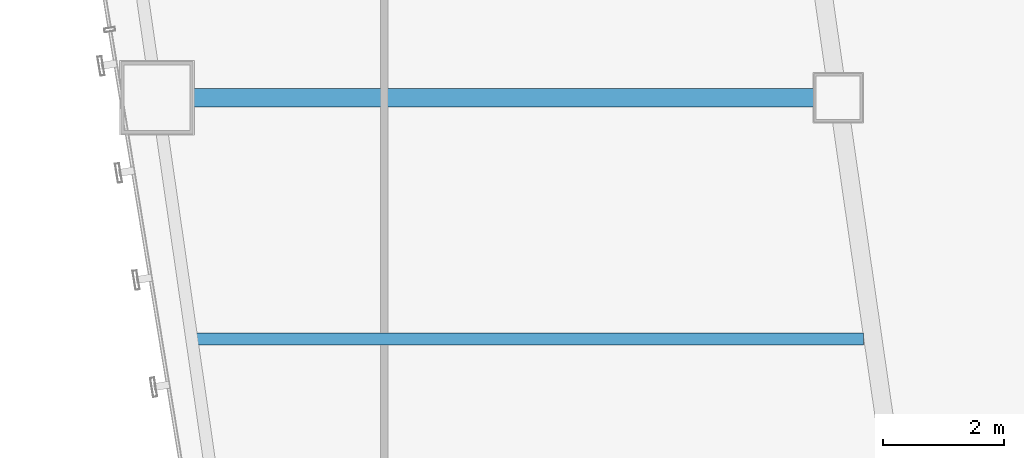
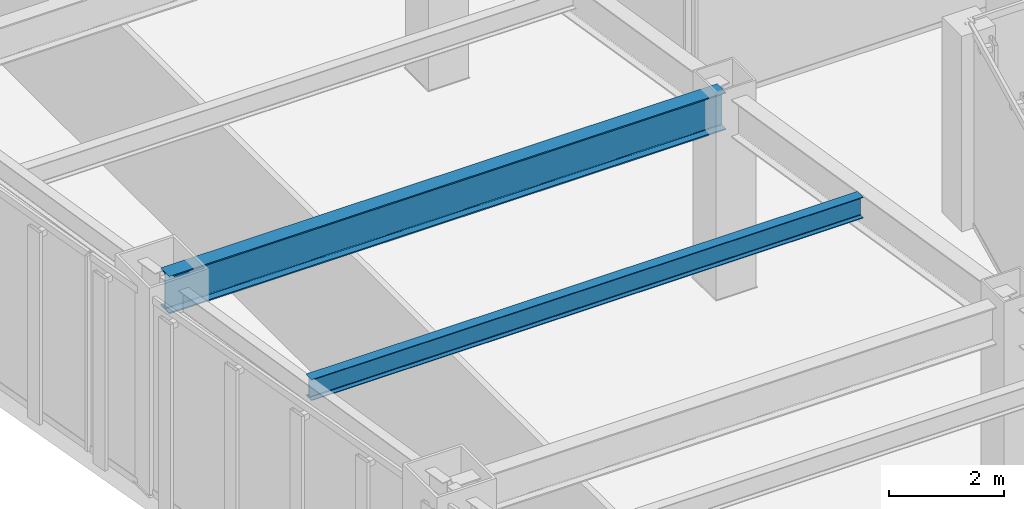
# One storey, part 6 of 49: 2 beams.
"""IFC4 building model written with IfcOpenShell, lengths in metres."""

from ifc_helpers import new_model, si_unit, direction, frame, origin, origin_2d, place, context, subcontext, project, spatial, i_section, extrude, material, material_profile, profile_set, type_object, element, save


model = new_model("IFC4")

# Units and contexts
model_context = context("Model", 3, precision=1e-05, world=origin(), true_north=direction((0.0, 1.0)))
body_context = subcontext(model_context, "Body", "Model", "MODEL_VIEW")
ifc_project = project(units=[si_unit("LENGTHUNIT", "METRE"), si_unit("AREAUNIT", "SQUARE_METRE"), si_unit("VOLUMEUNIT", "CUBIC_METRE"), si_unit("PLANEANGLEUNIT", "RADIAN"), si_unit("MASSUNIT", "GRAM", prefix="KILO")], contexts=[model_context])

# Site, building, storey
site_placement = place(None, origin())
site = spatial("IfcSite", under=ifc_project, at=site_placement, CompositionType="ELEMENT")
building_placement = place(site_placement, origin())
building = spatial("IfcBuilding", under=site, at=building_placement, Name="Saevonmaru Cultural Tower", CompositionType="ELEMENT")
storey_placement = place(building_placement, frame((0.0, 0.0, 38.39990234375)))
storey = spatial("IfcBuildingStorey", under=building, at=storey_placement, Name="L07", CompositionType="ELEMENT", Elevation=38.39990234375)

# Beams
ifc_material_1 = material(Name="Steel SM420", Category="steel")
ifc_material_profile_1 = material_profile(ifc_material_1, i_section(OverallWidth=0.300048828125, OverallDepth=0.800048828125, WebThickness=0.013916015625, FlangeThickness=0.02587890625, FilletRadius=0.028076171875, at=origin_2d()), Name="H-800x300x14x26")
ifc_profile_set_1 = profile_set([ifc_material_profile_1], Name="Steel SM420")
beam_type_1 = type_object("IfcBeamType", Name="BM-G-H800", PredefinedType="BEAM", material=ifc_profile_set_1)
beam_1_placement = place(storey_placement, frame((10.68798828125, 16.0, 3.75), z_axis=(1.0, 0.0, 0.0), x_axis=(0.0, 1.0, 0.0)))
element("IfcBeam", 1, at=beam_1_placement, inside=storey, type_object=beam_type_1, Name="L07 West Wing Transverse Girder 3", PredefinedType="BEAM", context=body_context, shape_type="SweptSolid", body=[
    extrude(i_section(OverallWidth=0.300048828125, OverallDepth=0.800048828125, WebThickness=0.013916015625, FlangeThickness=0.02587890625, FilletRadius=0.028076171875, at=origin_2d()), origin(), (0.0, 0.0, 1.0), 11.179931640625),
])
ifc_material_2 = material(Name="Steel SM355", Category="steel")
ifc_material_profile_2 = material_profile(ifc_material_2, i_section(OverallWidth=0.199951171875, OverallDepth=0.449951171875, WebThickness=0.009033203125, FlangeThickness=0.013916015625, FilletRadius=0.01806640625, at=origin_2d()), Name="H-450x200x9x14")
ifc_profile_set_2 = profile_set([ifc_material_profile_2], Name="Steel SM355")
beam_type_2 = type_object("IfcBeamType", Name="BM-J-H450", PredefinedType="JOIST", material=ifc_profile_set_2)
beam_2_placement = place(storey_placement, frame((11.265380859375, 12.0, 3.925048828125), z_axis=(1.0, 0.0, 0.0), x_axis=(0.0, 1.0, 0.0)))
element("IfcBeam", 2, at=beam_2_placement, inside=storey, type_object=beam_type_2, Name="L07 West Wing Floor Joist 2", PredefinedType="JOIST", context=body_context, shape_type="SweptSolid", body=[
    extrude(i_section(OverallWidth=0.199951171875, OverallDepth=0.449951171875, WebThickness=0.009033203125, FlangeThickness=0.013916015625, FilletRadius=0.01806640625, at=origin_2d()), origin(), (0.0, 0.0, 1.0), 11.08203125),
])

save(model, "model.ifc")
